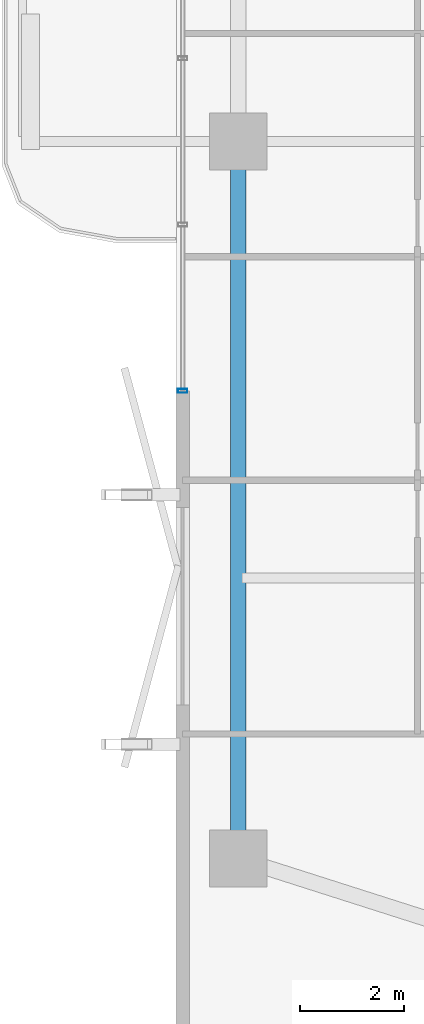
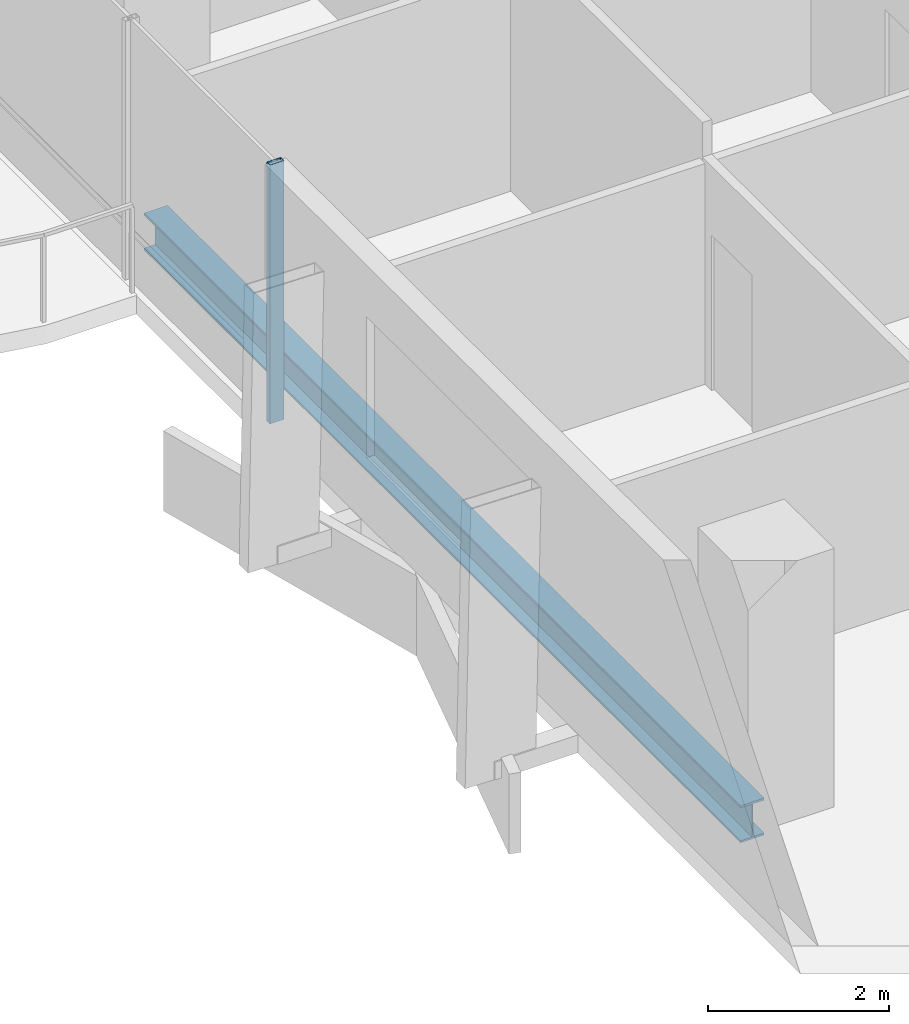
# One storey, part 4 of 25: 1 beam, 1 member, 1 element without a shape of its own.
"""IFC4 building model written with IfcOpenShell, lengths in metres."""

from ifc_helpers import new_model, si_unit, direction, frame, origin, origin_2d, place, context, subcontext, project, spatial, hollow_rectangle, i_section, extrude, material, layer, layer_set, material_profile, profile_set, type_object, element, aggregate, save


model = new_model("IFC4")

# Units and contexts
model_context = context("Model", 3, precision=1e-05, world=origin(), true_north=direction((0.0, 1.0)))
body_context = subcontext(model_context, "Body", "Model", "MODEL_VIEW")
ifc_project = project(units=[si_unit("LENGTHUNIT", "METRE"), si_unit("AREAUNIT", "SQUARE_METRE"), si_unit("VOLUMEUNIT", "CUBIC_METRE"), si_unit("PLANEANGLEUNIT", "RADIAN"), si_unit("MASSUNIT", "GRAM", prefix="KILO")], contexts=[model_context])

# Site, building, storey
site_placement = place(None, origin())
site = spatial("IfcSite", under=ifc_project, at=site_placement, CompositionType="ELEMENT")
building_placement = place(site_placement, origin())
building = spatial("IfcBuilding", under=site, at=building_placement, Name="Belovzor Exchange Tower", CompositionType="ELEMENT")
storey_placement = place(building_placement, frame((0.0, 0.0, 172.050048828125)))
storey = spatial("IfcBuildingStorey", under=building, at=storey_placement, Name="L42", CompositionType="ELEMENT", Elevation=172.050048828125)

# Curtain wall, member
ifc_material_1 = material(Name="Anodised Aluminium Framing", Category="aluminium")
ifc_layer = layer(ifc_material_1, 0.179931640625)
ifc_layer_set = layer_set([ifc_layer], Name="Anodised Aluminium Framing")
curtain_wall_type = type_object("IfcCurtainWallType", Name="Recessed Loggia Low-Iron Triple-Glazed Curtain Wall", PredefinedType="NOTDEFINED", material=ifc_layer_set)
curtain_wall_placement = place(storey_placement, origin())
curtain_wall = element("IfcCurtainWall", 1, at=curtain_wall_placement, inside=storey, type_object=curtain_wall_type, Name="CW3 Recessed Loggia Low-Iron Triple-Glazed Curtain Wall L42", PredefinedType="NOTDEFINED")
ifc_material_2 = material(Name="Steel S355", Category="steel")
ifc_material_profile_1 = material_profile(ifc_material_2, hollow_rectangle(XDim=0.074951171875, YDim=0.179931640625, WallThickness=0.0048828125, at=origin_2d()))
ifc_profile_set_1 = profile_set([ifc_material_profile_1], Name="Steel S355")
member_type = type_object("IfcMemberType", Name="Thermally Broken Curtain Wall Mullion 180x75", PredefinedType="MULLION", material=ifc_profile_set_1)
member_placement = place(storey_placement, frame((4.6298828125, 24.0, 0.0), z_axis=(0.0, 0.0, 1.0), x_axis=(0.0, 1.0, 0.0)))
member = element("IfcMember", 2, at=member_placement, type_object=member_type, Name="CW-M180 Curtain Wall Mullion 1", PredefinedType="MULLION", context=body_context, shape_type="SweptSolid", body=[
    extrude(hollow_rectangle(XDim=0.074951171875, YDim=0.179931640625, WallThickness=0.0048828125, at=origin_2d()), origin(), (0.0, 0.0, 1.0), 3.494873046875),
])
aggregate(curtain_wall, [member])

# Beam
ifc_material_3 = material(Name="Steel S355", Category="steel")
ifc_material_profile_2 = material_profile(ifc_material_3, i_section(OverallWidth=0.300048828125, OverallDepth=0.5, WebThickness=0.014404296875, FlangeThickness=0.028076171875, at=origin_2d()))
ifc_profile_set_2 = profile_set([ifc_material_profile_2], Name="Steel S355")
beam_type = type_object("IfcBeamType", Name="Zone 3 Waist Primary Girder HEB 500", PredefinedType="BEAM", material=ifc_profile_set_2)
beam_placement = place(storey_placement, frame((5.699951171875, 28.498046875, -0.505126953125), z_axis=(0.0, -1.0, 0.0), x_axis=(1.0, 0.0, 0.0)))
element("IfcBeam", 3, at=beam_placement, inside=storey, type_object=beam_type, Name="FG-Z3 Zone 3 Waist Primary Girder HEB 500", PredefinedType="BEAM", context=body_context, shape_type="SweptSolid", body=[
    extrude(i_section(OverallWidth=0.300048828125, OverallDepth=0.5, WebThickness=0.014404296875, FlangeThickness=0.028076171875, at=origin_2d()), origin(), (0.0, 0.0, 1.0), 13.195068359375),
])

save(model, "model.ifc")
